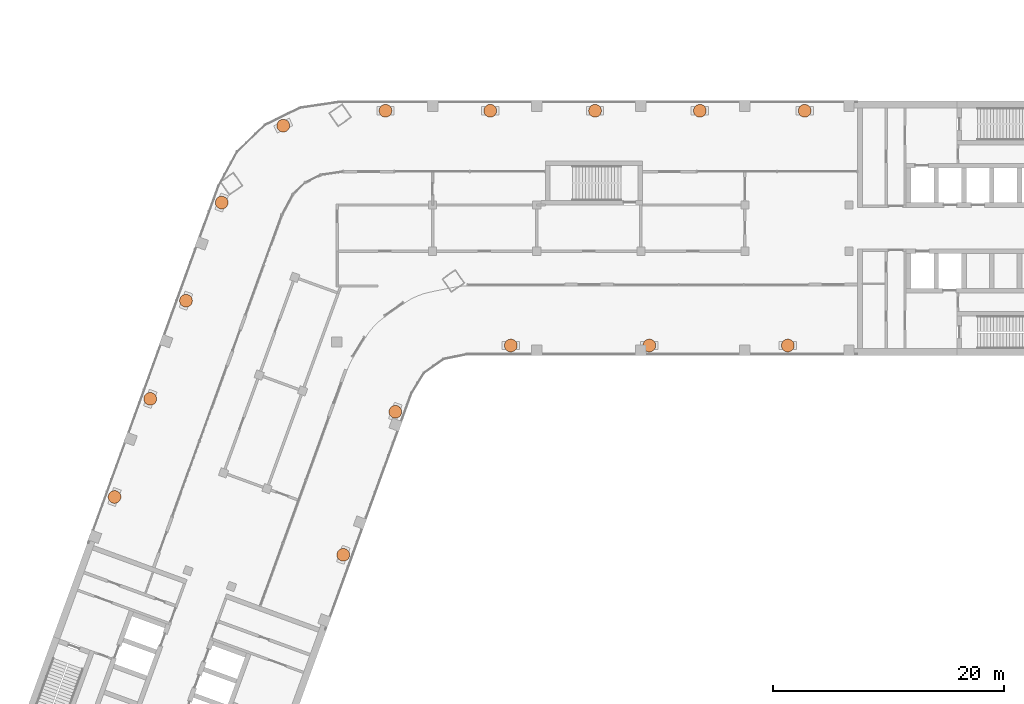
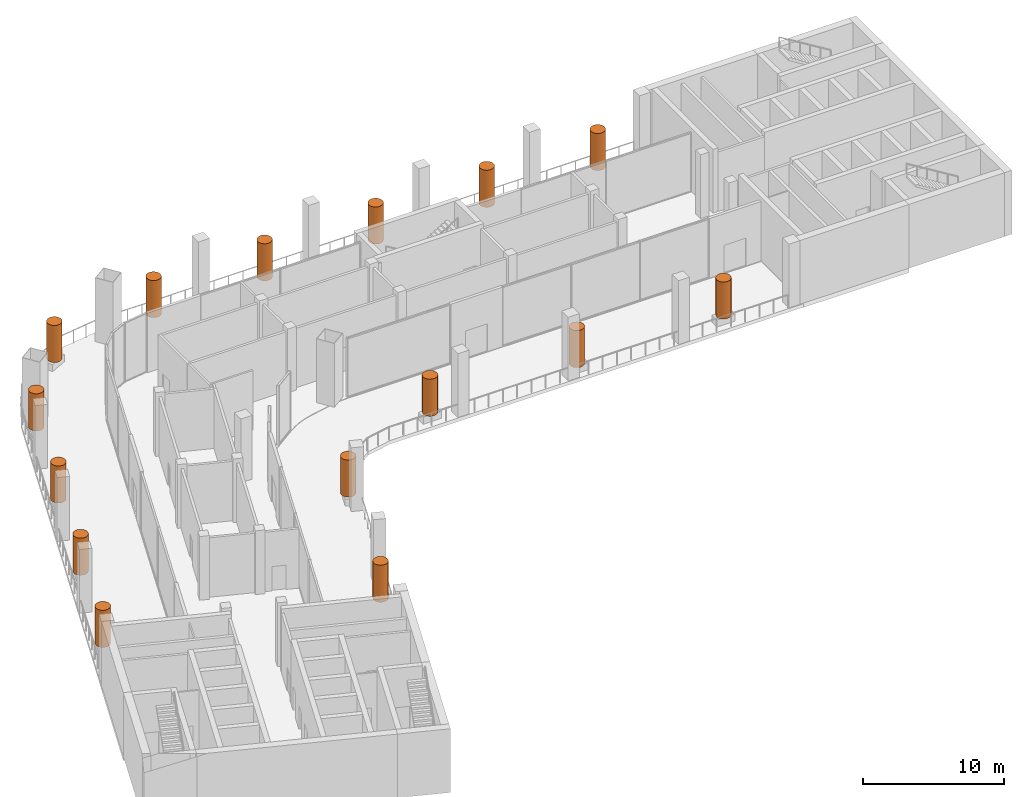
# One storey, part 19 of 19: 15 geographic elements.
"""IFC4 building model written with IfcOpenShell, lengths in metres."""

from ifc_helpers import new_model, si_unit, direction, frame, origin, origin_2d, place, context, subcontext, project, spatial, circle, extrude, element, save


model = new_model("IFC4")

# Units and contexts
model_context = context("Model", 3, precision=1e-05, world=origin(), true_north=direction((0.0, 1.0)))
body_context = subcontext(model_context, "Body", "Model", "MODEL_VIEW")
ifc_project = project(units=[si_unit("LENGTHUNIT", "METRE"), si_unit("AREAUNIT", "SQUARE_METRE"), si_unit("VOLUMEUNIT", "CUBIC_METRE"), si_unit("PLANEANGLEUNIT", "RADIAN"), si_unit("MASSUNIT", "GRAM", prefix="KILO")], contexts=[model_context])

# Site, building, storey
site_placement = place(None, origin())
site = spatial("IfcSite", under=ifc_project, at=site_placement, CompositionType="ELEMENT")
building_placement = place(site_placement, origin())
building = spatial("IfcBuilding", under=site, at=building_placement, Name="Skarvind Civic Tower", CompositionType="ELEMENT")
storey_placement = place(building_placement, frame((0.0, 0.0, 75.5)))
storey = spatial("IfcBuildingStorey", under=building, at=storey_placement, Name="L17", CompositionType="ELEMENT", Elevation=75.5)

# Geographic elements
for number, where, z_axis, x_axis, name in (
    (1, (41.32861328125, 136.861083984375, 0.60009765625), (0.0, 0.0, 1.0), (1.0, 0.0, 0.0), "TERRACE TREE"),
    (2, (50.166748046875, 138.14990234375, 0.60009765625), (0.0, 0.0, 1.0), (1.0, 0.0, 0.0), "TERRACE TREE"),
    (3, (59.2294921875, 138.14990234375, 0.60009765625), (0.0, 0.0, 1.0), (1.0, 0.0, 0.0), "TERRACE TREE"),
    (4, (68.29248046875, 138.14990234375, 0.60009765625), (0.0, 0.0, 1.0), (1.0, 0.0, 0.0), "TERRACE TREE"),
    (5, (77.355712890625, 138.14990234375, 0.60009765625), (0.0, 0.0, 1.0), (1.0, 0.0, 0.0), "TERRACE TREE"),
    (6, (86.41845703125, 138.14990234375, 0.60009765625), (0.0, 0.0, 1.0), (1.0, 0.0, 0.0), "TERRACE TREE"),
    (7, (26.73681640625, 104.75146484375, 0.60009765625), (0.0, 0.0, 1.0), (1.0, 0.0, 0.0), "TERRACE TREE"),
    (8, (29.825439453125, 113.2373046875, 0.60009765625), (0.0, 0.0, 1.0), (1.0, 0.0, 0.0), "TERRACE TREE"),
    (9, (32.9140625, 121.72314453125, 0.60009765625), (0.0, 0.0, 1.0), (1.0, 0.0, 0.0), "TERRACE TREE"),
    (10, (36.002685546875, 130.208984375, 0.60009765625), (0.0, 0.0, 1.0), (1.0, 0.0, 0.0), "TERRACE TREE"),
    (11, (51.02099609375, 112.1181640625, 0.60009765625), (0.0, 0.0, 1.0), (1.0, 0.0, 0.0), "TERRACE TREE"),
    (12, (46.519287109375, 99.749755859375, 0.60009765625), (0.0, 0.0, 1.0), (1.0, 0.0, 0.0), "TERRACE TREE"),
    (13, (84.9619140625, 117.85009765625, 0.60009765625), (0.0, 0.0, 1.0), (1.0, 0.0, 0.0), "TERRACE TREE"),
    (14, (72.98583984375, 117.85009765625, 0.60009765625), (0.0, 0.0, 1.0), (1.0, 0.0, 0.0), "TERRACE TREE"),
    (15, (61.009765625, 117.85009765625, 0.60009765625), (0.0, 0.0, 1.0), (1.0, 0.0, 0.0), "TERRACE TREE"),
):
    element("IfcGeographicElement", number, at=place(storey_placement, frame(where, z_axis=z_axis, x_axis=x_axis)), inside=storey, Name=name, ObjectType="TREE", PredefinedType="USERDEFINED", context=body_context, shape_type="SweptSolid", body=[
        extrude(circle(Radius=0.550048828125, at=origin_2d()), origin(), (0.0, 0.0, 1.0), 3.199951171875),
    ])

save(model, "model.ifc")
